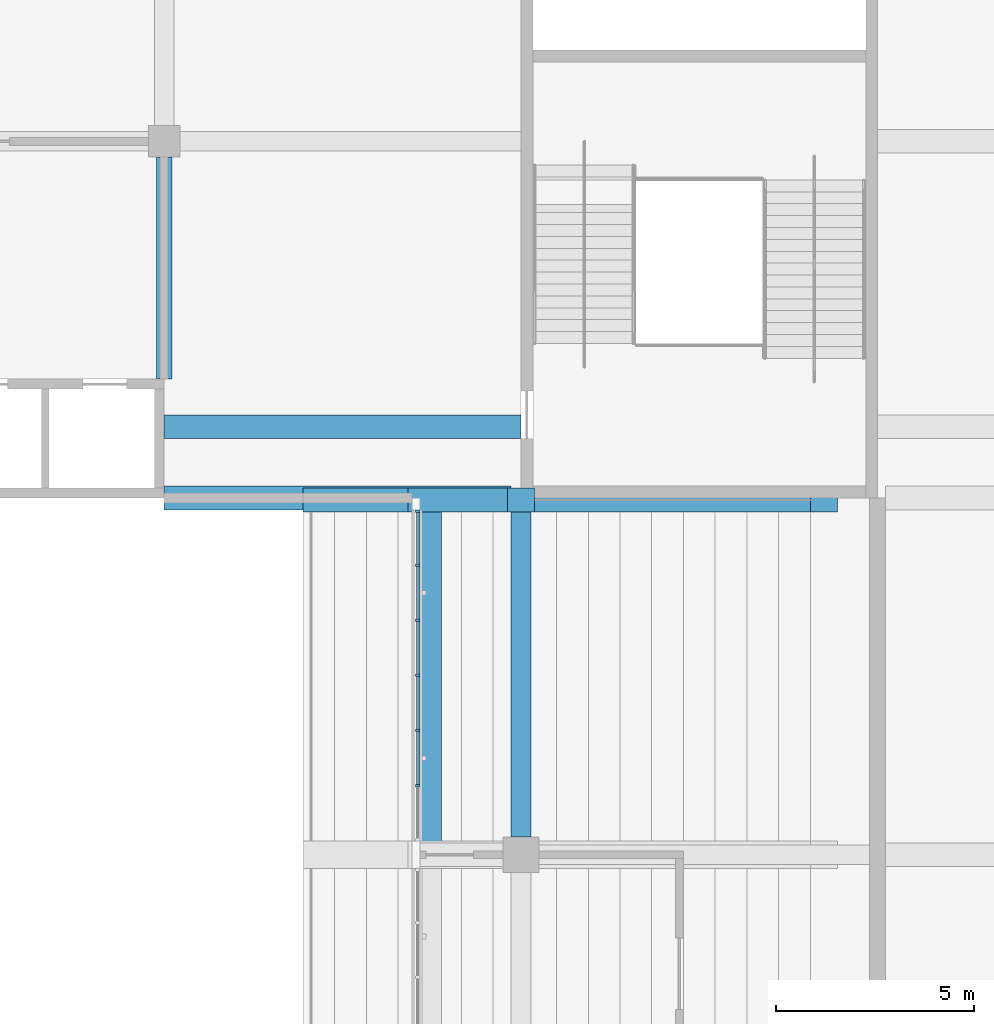
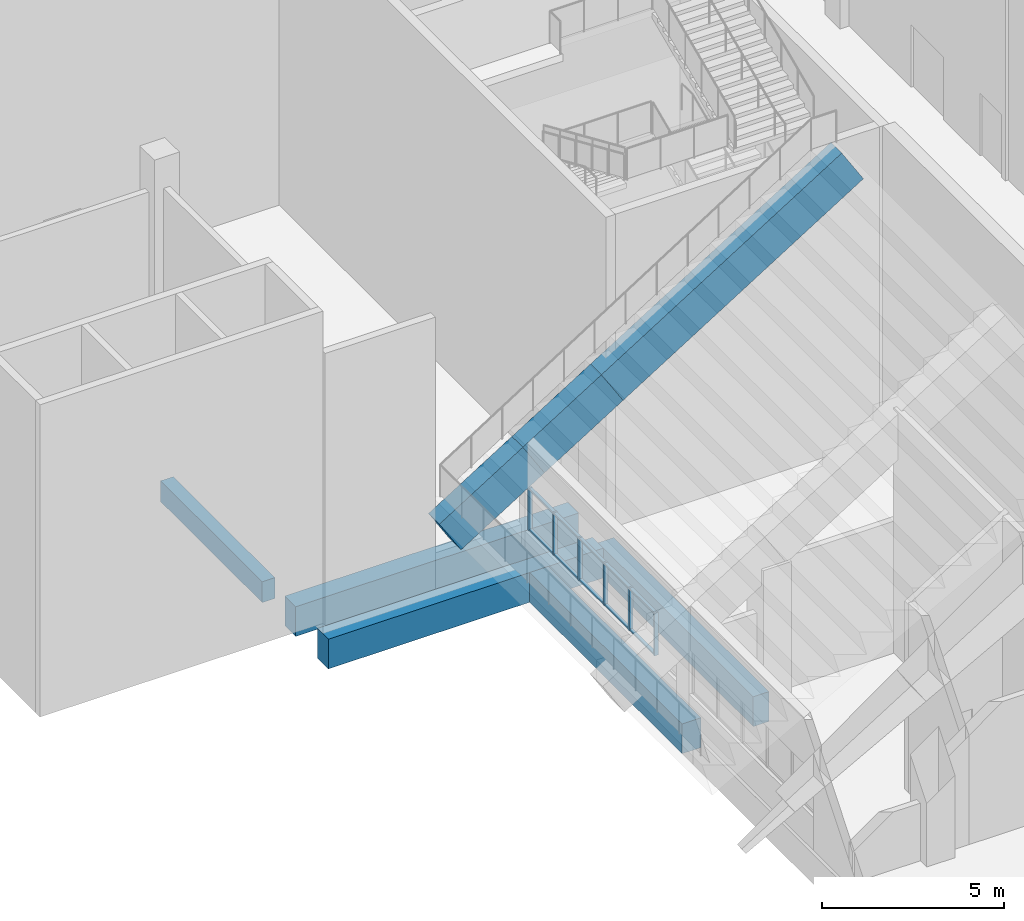
# One storey, part 52 of 182: 16 members, 8 beams, 1 element without a shape of its own.
"""IFC4 building model written with IfcOpenShell, lengths in metres."""

from ifc_helpers import new_model, si_unit, direction, frame, origin, origin_2d, place, context, subcontext, project, spatial, rectangle, extrude, material, material_profile, profile_set, type_object, element, aggregate, save


model = new_model("IFC4")

# Units and contexts
model_context = context("Model", 3, precision=1e-05, world=origin(), true_north=direction((0.0, 1.0)))
body_context = subcontext(model_context, "Body", "Model", "MODEL_VIEW")
ifc_project = project(units=[si_unit("LENGTHUNIT", "METRE"), si_unit("AREAUNIT", "SQUARE_METRE"), si_unit("VOLUMEUNIT", "CUBIC_METRE"), si_unit("PLANEANGLEUNIT", "RADIAN"), si_unit("MASSUNIT", "GRAM", prefix="KILO")], contexts=[model_context])

# Site, building, storey
site_placement = place(None, origin())
site = spatial("IfcSite", under=ifc_project, at=site_placement, CompositionType="ELEMENT")
building_placement = place(site_placement, origin())
building = spatial("IfcBuilding", under=site, at=building_placement, Name="Silverbay Arena", CompositionType="ELEMENT")
storey_placement = place(building_placement, frame((0.0, 0.0, 11.5)))
storey = spatial("IfcBuildingStorey", under=building, at=storey_placement, Name="L02", CompositionType="ELEMENT", Elevation=11.5)

# Curtain wall, members
ifc_material_1 = material(Name="Fire-resisting glass", Category="glass")
curtain_wall_type = type_object("IfcCurtainWallType", Name="Fire-resisting glazed screen EI 120 8350 x 1437", PredefinedType="NOTDEFINED", material=ifc_material_1)
curtain_wall_placement = place(storey_placement, origin())
curtain_wall = element("IfcCurtainWall", 1, at=curtain_wall_placement, inside=storey, type_object=curtain_wall_type, Name="East suite front 4", PredefinedType="NOTDEFINED")
ifc_material_2 = material(Name="Aluminium", Category="aluminium")
ifc_material_profile_1 = material_profile(ifc_material_2, rectangle(XDim=0.1201171875, YDim=0.06005859375, at=origin_2d()), Name="Mullion 60 x 120")
ifc_profile_set_1 = profile_set([ifc_material_profile_1], Name="Aluminium")
member_type_1 = type_object("IfcMemberType", Name="Mullion 60 x 120", PredefinedType="MULLION", material=ifc_profile_set_1)
member_1_placement = place(storey_placement, frame((177.39990234375, 91.74169921875, 1.10009765625), z_axis=(0.0, 0.0, 1.0), x_axis=(-1.0, 0.0, 0.0)))
member_1 = element("IfcMember", 2, at=member_1_placement, type_object=member_type_1, Name="CW20 mullion 2", PredefinedType="MULLION", context=body_context, shape_type="SweptSolid", body=[
    extrude(rectangle(XDim=0.1201171875, YDim=0.06005859375, at=origin_2d()), origin(), (0.0, 0.0, 1.0), 1.43701171875),
])
member_2_placement = place(storey_placement, frame((177.39990234375, 93.13330078125, 1.10009765625), z_axis=(0.0, 0.0, 1.0), x_axis=(-1.0, 0.0, 0.0)))
member_2 = element("IfcMember", 3, at=member_2_placement, type_object=member_type_1, Name="CW20 mullion 3", PredefinedType="MULLION", context=body_context, shape_type="SweptSolid", body=[
    extrude(rectangle(XDim=0.1201171875, YDim=0.06005859375, at=origin_2d()), origin(), (0.0, 0.0, 1.0), 1.43701171875),
])
member_3_placement = place(storey_placement, frame((177.39990234375, 94.52490234375, 1.10009765625), z_axis=(0.0, 0.0, 1.0), x_axis=(-1.0, 0.0, 0.0)))
member_3 = element("IfcMember", 4, at=member_3_placement, type_object=member_type_1, Name="CW20 mullion 4", PredefinedType="MULLION", context=body_context, shape_type="SweptSolid", body=[
    extrude(rectangle(XDim=0.1201171875, YDim=0.06005859375, at=origin_2d()), origin(), (0.0, 0.0, 1.0), 1.43701171875),
])
member_4_placement = place(storey_placement, frame((177.39990234375, 95.916748046875, 1.10009765625), z_axis=(0.0, 0.0, 1.0), x_axis=(-1.0, 0.0, 0.0)))
member_4 = element("IfcMember", 5, at=member_4_placement, type_object=member_type_1, Name="CW20 mullion 5", PredefinedType="MULLION", context=body_context, shape_type="SweptSolid", body=[
    extrude(rectangle(XDim=0.1201171875, YDim=0.06005859375, at=origin_2d()), origin(), (0.0, 0.0, 1.0), 1.43701171875),
])
member_5_placement = place(storey_placement, frame((177.39990234375, 97.308349609375, 1.10009765625), z_axis=(0.0, 0.0, 1.0), x_axis=(-1.0, 0.0, 0.0)))
member_5 = element("IfcMember", 6, at=member_5_placement, type_object=member_type_1, Name="CW20 mullion 6", PredefinedType="MULLION", context=body_context, shape_type="SweptSolid", body=[
    extrude(rectangle(XDim=0.1201171875, YDim=0.06005859375, at=origin_2d()), origin(), (0.0, 0.0, 1.0), 1.43701171875),
])
member_6_placement = place(storey_placement, frame((177.39990234375, 98.669921875, 1.10009765625), z_axis=(0.0, 0.0, 1.0), x_axis=(-1.0, 0.0, 0.0)))
member_6 = element("IfcMember", 7, at=member_6_placement, type_object=member_type_1, Name="CW20 mullion 7", PredefinedType="MULLION", context=body_context, shape_type="SweptSolid", body=[
    extrude(rectangle(XDim=0.1201171875, YDim=0.06005859375, at=origin_2d()), origin(), (0.0, 0.0, 1.0), 1.43701171875),
])

# Beams
ifc_material_3 = material(Name="Concrete Grade C45", Category="concrete")
ifc_material_profile_2 = material_profile(ifc_material_3, rectangle(XDim=0.39990234375, YDim=0.699951171875, at=origin_2d()), Name="RC 400x700")
ifc_profile_set_2 = profile_set([ifc_material_profile_2], Name="Concrete Grade C45")
beam_type_1 = type_object("IfcBeamType", Name="RC beam 400x700", PredefinedType="BEAM", material=ifc_profile_set_2)
beam_1_placement = place(storey_placement, frame((171.0, 102.0, -0.699951171875), z_axis=(0.0, 1.0, 0.0), x_axis=(-1.0, 0.0, 0.0)))
element("IfcBeam", 8, at=beam_1_placement, inside=storey, type_object=beam_type_1, Name="Floor beam L02 306", PredefinedType="BEAM", context=body_context, shape_type="SweptSolid", body=[
    extrude(rectangle(XDim=0.39990234375, YDim=0.699951171875, at=origin_2d()), origin(), (0.0, 0.0, 1.0), 5.60009765625),
])
ifc_material_4 = material(Name="Concrete Grade C45", Category="concrete")
ifc_material_profile_3 = material_profile(ifc_material_4, rectangle(XDim=0.5, YDim=1.0, at=origin_2d()), Name="RC 500x1000")
ifc_profile_set_3 = profile_set([ifc_material_profile_3], Name="Concrete Grade C45")
beam_type_2 = type_object("IfcBeamType", Name="RC beam 500x1000", PredefinedType="BEAM", material=ifc_profile_set_3)
beam_2_placement = place(storey_placement, frame((180.0, 90.449951171875, -0.85009765625), z_axis=(0.0, 1.0, 0.0), x_axis=(-1.0, 0.0, 0.0)))
element("IfcBeam", 9, at=beam_2_placement, inside=storey, type_object=beam_type_2, Name="Floor beam L02 313", PredefinedType="BEAM", context=body_context, shape_type="SweptSolid", body=[
    extrude(rectangle(XDim=0.5, YDim=1.0, at=origin_2d()), origin(), (0.0, 0.0, 1.0), 8.550048828125),
])
ifc_material_5 = material(Name="Concrete Grade C45", Category="concrete")
ifc_material_profile_4 = material_profile(ifc_material_5, rectangle(XDim=0.60009765625, YDim=1.0, at=origin_2d()), Name="RC 600x1000")
ifc_profile_set_4 = profile_set([ifc_material_profile_4], Name="Concrete Grade C45")
beam_type_3 = type_object("IfcBeamType", Name="RC beam 600x1000", PredefinedType="BEAM", material=ifc_profile_set_4)
beam_3_placement = place(storey_placement, frame((171.0, 99.0, -0.85009765625), z_axis=(1.0, 0.0, 0.0), x_axis=(0.0, 1.0, 0.0)))
element("IfcBeam", 10, at=beam_3_placement, inside=storey, type_object=beam_type_3, Name="Floor beam L02 115", PredefinedType="BEAM", context=body_context, shape_type="SweptSolid", body=[
    extrude(rectangle(XDim=0.60009765625, YDim=1.0, at=origin_2d()), origin(), (0.0, 0.0, 1.0), 8.75),
])
beam_4_placement = place(storey_placement, frame((171.0, 100.800048828125, -0.85009765625), z_axis=(1.0, 0.0, 0.0), x_axis=(0.0, 1.0, 0.0)))
element("IfcBeam", 11, at=beam_4_placement, inside=storey, type_object=beam_type_3, Name="Floor beam L02 122", PredefinedType="BEAM", context=body_context, shape_type="SweptSolid", body=[
    extrude(rectangle(XDim=0.60009765625, YDim=1.0, at=origin_2d()), origin(), (0.0, 0.0, 1.0), 9.0),
])
beam_5_placement = place(storey_placement, frame((177.699951171875, 90.300048828125, -0.85009765625), z_axis=(0.0, 1.0, 0.0), x_axis=(-1.0, 0.0, 0.0)))
element("IfcBeam", 12, at=beam_5_placement, inside=storey, type_object=beam_type_3, Name="Floor beam L02 386", PredefinedType="BEAM", context=body_context, shape_type="SweptSolid", body=[
    extrude(rectangle(XDim=0.60009765625, YDim=1.0, at=origin_2d()), origin(), (0.0, 0.0, 1.0), 8.39990234375),
])
ifc_material_6 = material(Name="Concrete Grade C45", Category="concrete")
ifc_material_profile_5 = material_profile(ifc_material_6, rectangle(XDim=0.60009765625, YDim=1.300048828125, at=origin_2d()), Name="RC 600x1300")
ifc_profile_set_5 = profile_set([ifc_material_profile_5], Name="Concrete Grade C45")
beam_type_4 = type_object("IfcBeamType", Name="RC cantilever raker 600x1300", PredefinedType="BEAM", material=ifc_profile_set_5)
beam_6_placement = place(storey_placement, frame((174.844482421875, 98.949951171875, 1.768798828125), z_axis=(0.848002683915, 0.0, 0.529991932082), x_axis=(0.0, 1.0, 0.0)))
element("IfcBeam", 13, at=beam_6_placement, inside=storey, type_object=beam_type_4, Name="Raker East upper 99 tip", PredefinedType="BEAM", context=body_context, shape_type="SweptSolid", body=[
    extrude(rectangle(XDim=0.60009765625, YDim=1.300048828125, at=origin_2d()), origin(), (0.0, 0.0, 1.0), 3.131591796875),
])
beam_7_placement = place(storey_placement, frame((177.5, 98.949951171875, 3.428466796875), z_axis=(0.847998304005, 0.0, 0.529998940003), x_axis=(0.0, 1.0, 0.0)))
element("IfcBeam", 14, at=beam_7_placement, inside=storey, type_object=beam_type_4, Name="Raker East upper 99 mid", PredefinedType="BEAM", context=body_context, shape_type="SweptSolid", body=[
    extrude(rectangle(XDim=0.60009765625, YDim=1.300048828125, at=origin_2d()), origin(), (0.0, 0.0, 1.0), 2.947998046875),
])
ifc_material_7 = material(Name="Concrete Grade C45", Category="concrete")
ifc_material_profile_6 = material_profile(ifc_material_7, rectangle(XDim=0.60009765625, YDim=1.300048828125, at=origin_2d()), Name="RC 600x1300")
ifc_profile_set_6 = profile_set([ifc_material_profile_6], Name="Concrete Grade C45")
beam_type_5 = type_object("IfcBeamType", Name="RC tier raker 600x1300", PredefinedType="BEAM", material=ifc_profile_set_6)
beam_8_placement = place(storey_placement, frame((180.0, 98.949951171875, 4.990966796875), z_axis=(0.847998304005, 0.0, 0.529998940003), x_axis=(0.0, 1.0, 0.0)))
element("IfcBeam", 15, at=beam_8_placement, inside=storey, type_object=beam_type_5, Name="Raker East upper 99 back", PredefinedType="BEAM", context=body_context, shape_type="SweptSolid", body=[
    extrude(rectangle(XDim=0.60009765625, YDim=1.300048828125, at=origin_2d()), origin(), (0.0, 0.0, 1.0), 9.014892578125),
])

# Member
ifc_material_8 = material(Name="Aluminium", Category="aluminium")
ifc_material_profile_7 = material_profile(ifc_material_8, rectangle(XDim=0.10009765625, YDim=0.050048828125, at=origin_2d()), Name="Transom 50 x 100")
ifc_profile_set_7 = profile_set([ifc_material_profile_7], Name="Aluminium")
member_type_2 = type_object("IfcMemberType", Name="Transom 50 x 100", PredefinedType="USERDEFINED", material=ifc_profile_set_7)
member_7_placement = place(storey_placement, frame((177.39990234375, 91.771728515625, 1.125), z_axis=(0.0, 1.0, 0.0), x_axis=(-1.0, 0.0, 0.0)))
member_7 = element("IfcMember", 16, at=member_7_placement, type_object=member_type_2, Name="CW20 transom 2.1", ObjectType="TRANSOM", PredefinedType="USERDEFINED", context=body_context, shape_type="SweptSolid", body=[
    extrude(rectangle(XDim=0.10009765625, YDim=0.050048828125, at=origin_2d()), origin(), (0.0, 0.0, 1.0), 1.33154296875),
])

member_8_placement = place(storey_placement, frame((177.39990234375, 91.771728515625, 2.511962890625), z_axis=(0.0, 1.0, 0.0), x_axis=(-1.0, 0.0, 0.0)))
member_8 = element("IfcMember", 17, at=member_8_placement, type_object=member_type_2, Name="CW20 transom 2.2", ObjectType="TRANSOM", PredefinedType="USERDEFINED", context=body_context, shape_type="SweptSolid", body=[
    extrude(rectangle(XDim=0.10009765625, YDim=0.050048828125, at=origin_2d()), origin(), (0.0, 0.0, 1.0), 1.33154296875),
])

member_9_placement = place(storey_placement, frame((177.39990234375, 93.163330078125, 1.125), z_axis=(0.0, 1.0, 0.0), x_axis=(-1.0, 0.0, 0.0)))
member_9 = element("IfcMember", 18, at=member_9_placement, type_object=member_type_2, Name="CW20 transom 3.1", ObjectType="TRANSOM", PredefinedType="USERDEFINED", context=body_context, shape_type="SweptSolid", body=[
    extrude(rectangle(XDim=0.10009765625, YDim=0.050048828125, at=origin_2d()), origin(), (0.0, 0.0, 1.0), 1.331787109375),
])

member_10_placement = place(storey_placement, frame((177.39990234375, 93.163330078125, 2.511962890625), z_axis=(0.0, 1.0, 0.0), x_axis=(-1.0, 0.0, 0.0)))
member_10 = element("IfcMember", 19, at=member_10_placement, type_object=member_type_2, Name="CW20 transom 3.2", ObjectType="TRANSOM", PredefinedType="USERDEFINED", context=body_context, shape_type="SweptSolid", body=[
    extrude(rectangle(XDim=0.10009765625, YDim=0.050048828125, at=origin_2d()), origin(), (0.0, 0.0, 1.0), 1.331787109375),
])

member_11_placement = place(storey_placement, frame((177.39990234375, 94.554931640625, 1.125), z_axis=(0.0, 1.0, 0.0), x_axis=(-1.0, 0.0, 0.0)))
member_11 = element("IfcMember", 20, at=member_11_placement, type_object=member_type_2, Name="CW20 transom 4.1", ObjectType="TRANSOM", PredefinedType="USERDEFINED", context=body_context, shape_type="SweptSolid", body=[
    extrude(rectangle(XDim=0.10009765625, YDim=0.050048828125, at=origin_2d()), origin(), (0.0, 0.0, 1.0), 1.331787109375),
])

member_12_placement = place(storey_placement, frame((177.39990234375, 94.554931640625, 2.511962890625), z_axis=(0.0, 1.0, 0.0), x_axis=(-1.0, 0.0, 0.0)))
member_12 = element("IfcMember", 21, at=member_12_placement, type_object=member_type_2, Name="CW20 transom 4.2", ObjectType="TRANSOM", PredefinedType="USERDEFINED", context=body_context, shape_type="SweptSolid", body=[
    extrude(rectangle(XDim=0.10009765625, YDim=0.050048828125, at=origin_2d()), origin(), (0.0, 0.0, 1.0), 1.331787109375),
])

member_13_placement = place(storey_placement, frame((177.39990234375, 95.94677734375, 1.125), z_axis=(0.0, 1.0, 0.0), x_axis=(-1.0, 0.0, 0.0)))
member_13 = element("IfcMember", 22, at=member_13_placement, type_object=member_type_2, Name="CW20 transom 5.1", ObjectType="TRANSOM", PredefinedType="USERDEFINED", context=body_context, shape_type="SweptSolid", body=[
    extrude(rectangle(XDim=0.10009765625, YDim=0.050048828125, at=origin_2d()), origin(), (0.0, 0.0, 1.0), 1.33154296875),
])

member_14_placement = place(storey_placement, frame((177.39990234375, 95.94677734375, 2.511962890625), z_axis=(0.0, 1.0, 0.0), x_axis=(-1.0, 0.0, 0.0)))
member_14 = element("IfcMember", 23, at=member_14_placement, type_object=member_type_2, Name="CW20 transom 5.2", ObjectType="TRANSOM", PredefinedType="USERDEFINED", context=body_context, shape_type="SweptSolid", body=[
    extrude(rectangle(XDim=0.10009765625, YDim=0.050048828125, at=origin_2d()), origin(), (0.0, 0.0, 1.0), 1.33154296875),
])

member_15_placement = place(storey_placement, frame((177.39990234375, 97.33837890625, 1.125), z_axis=(0.0, 1.0, 0.0), x_axis=(-1.0, 0.0, 0.0)))
member_15 = element("IfcMember", 24, at=member_15_placement, type_object=member_type_2, Name="CW20 transom 6.1", ObjectType="TRANSOM", PredefinedType="USERDEFINED", context=body_context, shape_type="SweptSolid", body=[
    extrude(rectangle(XDim=0.10009765625, YDim=0.050048828125, at=origin_2d()), origin(), (0.0, 0.0, 1.0), 1.301513671875),
])

member_16_placement = place(storey_placement, frame((177.39990234375, 97.33837890625, 2.511962890625), z_axis=(0.0, 1.0, 0.0), x_axis=(-1.0, 0.0, 0.0)))
member_16 = element("IfcMember", 25, at=member_16_placement, type_object=member_type_2, Name="CW20 transom 6.2", ObjectType="TRANSOM", PredefinedType="USERDEFINED", context=body_context, shape_type="SweptSolid", body=[
    extrude(rectangle(XDim=0.10009765625, YDim=0.050048828125, at=origin_2d()), origin(), (0.0, 0.0, 1.0), 1.301513671875),
])

aggregate(curtain_wall, [member_1, member_2, member_3, member_4, member_5, member_6, member_7, member_8, member_9, member_10, member_11, member_12, member_13, member_14, member_15, member_16])

save(model, "model.ifc")
